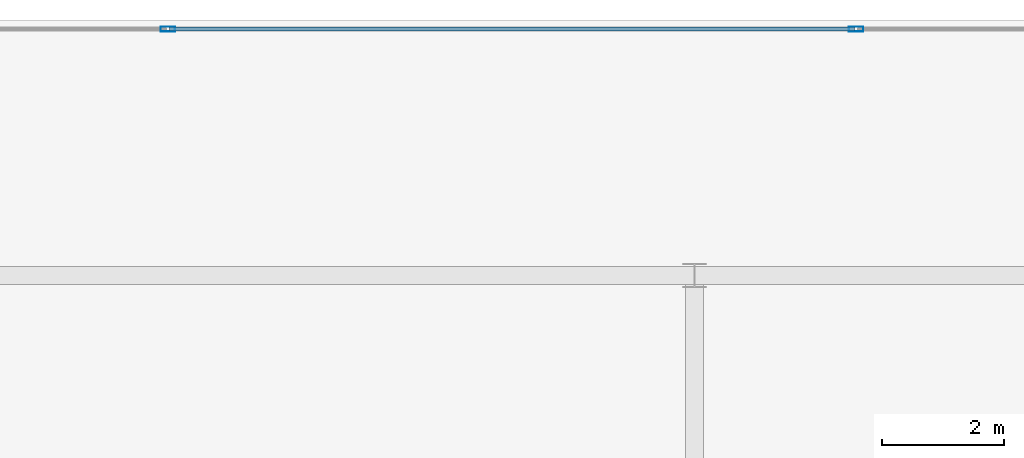
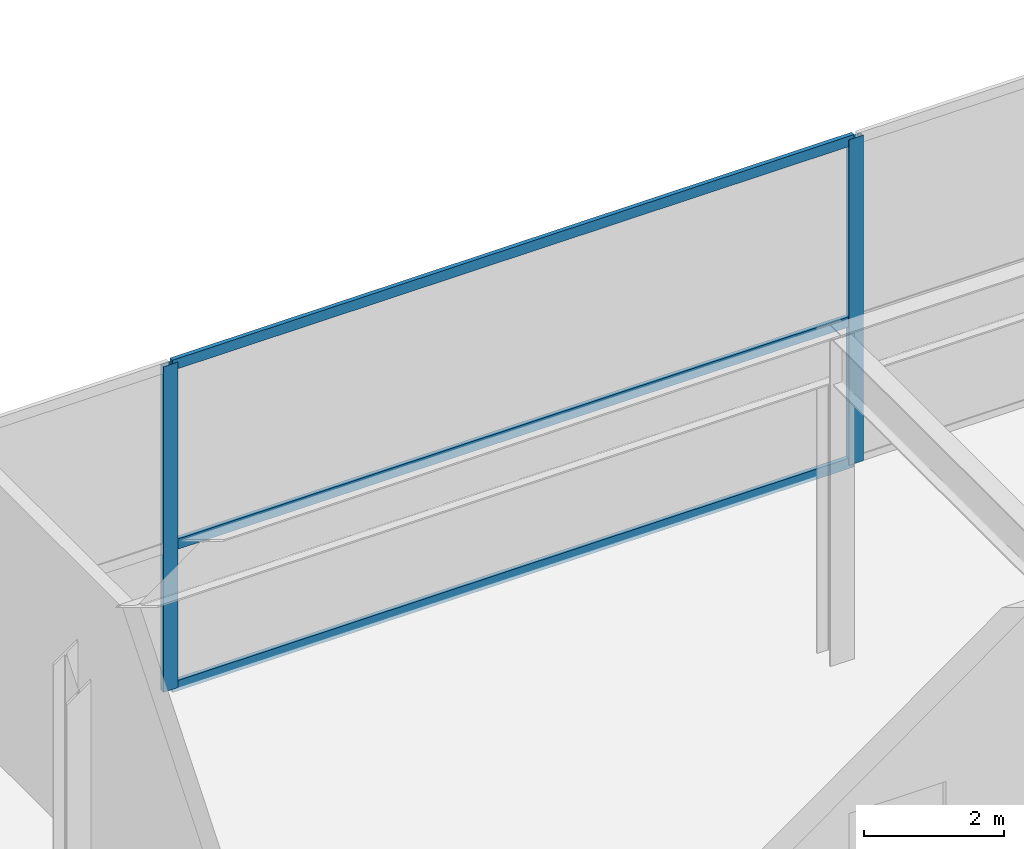
# One storey, part 19 of 35: 5 members, 1 element without a shape of its own.
"""IFC4 building model written with IfcOpenShell, lengths in metres."""

from ifc_helpers import new_model, si_unit, direction, frame, origin, origin_2d, place, context, subcontext, project, spatial, hollow_rectangle, extrude, material, layer, layer_set, material_profile, profile_set, type_object, element, aggregate, save


model = new_model("IFC4")

# Units and contexts
model_context = context("Model", 3, precision=1e-05, world=origin(), true_north=direction((0.0, 1.0)))
body_context = subcontext(model_context, "Body", "Model", "MODEL_VIEW")
ifc_project = project(units=[si_unit("LENGTHUNIT", "METRE"), si_unit("AREAUNIT", "SQUARE_METRE"), si_unit("VOLUMEUNIT", "CUBIC_METRE"), si_unit("PLANEANGLEUNIT", "RADIAN"), si_unit("MASSUNIT", "GRAM", prefix="KILO")], contexts=[model_context])

# Site, building, storey
site_placement = place(None, origin())
site = spatial("IfcSite", under=ifc_project, at=site_placement, CompositionType="ELEMENT")
building_placement = place(site_placement, origin())
building = spatial("IfcBuilding", under=site, at=building_placement, Name="Calvorn Quay Hotel", CompositionType="ELEMENT")
storey_placement = place(building_placement, frame((0.0, 0.0, 6.0)))
storey = spatial("IfcBuildingStorey", under=building, at=storey_placement, Name="L01", CompositionType="ELEMENT", Elevation=6.0)

# Curtain wall, members
ifc_material_1 = material(Name="Pale Anodised Aluminium and Low-E Glass", Category="aluminium")
ifc_layer = layer(ifc_material_1, 0.219970703125)
ifc_layer_set = layer_set([ifc_layer], Name="CW-SYS-POD")
curtain_wall_type = type_object("IfcCurtainWallType", Name="CW-SYS-POD", PredefinedType="NOTDEFINED", material=ifc_layer_set)
curtain_wall_placement = place(storey_placement, origin())
curtain_wall = element("IfcCurtainWall", 1, at=curtain_wall_placement, inside=storey, type_object=curtain_wall_type, Name="Podium Curtain Wall L01-N1", PredefinedType="NOTDEFINED")
ifc_material_2 = material(Name="Pale Anodised Aluminium 6063-T6", Category="aluminium")
ifc_material_profile_1 = material_profile(ifc_material_2, hollow_rectangle(XDim=0.080078125, YDim=0.239990234375, WallThickness=0.0048828125, at=origin_2d()), Name="ALU-M240x80x5")
ifc_profile_set_1 = profile_set([ifc_material_profile_1], Name="Pale Anodised Aluminium 6063-T6")
member_type_1 = type_object("IfcMemberType", Name="CW-SYS-POD-MUL", PredefinedType="MULLION", material=ifc_profile_set_1)
member_1_placement = place(storey_placement, frame((36.3427734375, 57.85009765625, 0.0), z_axis=(0.0, 0.0, 1.0), x_axis=(0.0, 1.0, 0.0)))
member_1 = element("IfcMember", 2, at=member_1_placement, type_object=member_type_1, Name="CW-L01-N1 mullion 4", PredefinedType="MULLION", context=body_context, shape_type="SweptSolid", body=[
    extrude(hollow_rectangle(XDim=0.080078125, YDim=0.239990234375, WallThickness=0.0048828125, at=origin_2d()), origin(), (0.0, 0.0, 1.0), 5.679931640625),
])
member_2_placement = place(storey_placement, frame((47.6572265625, 57.85009765625, 0.0), z_axis=(0.0, 0.0, 1.0), x_axis=(0.0, 1.0, 0.0)))
member_2 = element("IfcMember", 3, at=member_2_placement, type_object=member_type_1, Name="CW-L01-N1 mullion 5", PredefinedType="MULLION", context=body_context, shape_type="SweptSolid", body=[
    extrude(hollow_rectangle(XDim=0.080078125, YDim=0.239990234375, WallThickness=0.0048828125, at=origin_2d()), origin(), (0.0, 0.0, 1.0), 5.679931640625),
])
ifc_material_3 = material(Name="Pale Anodised Aluminium 6063-T6", Category="aluminium")
ifc_material_profile_2 = material_profile(ifc_material_3, hollow_rectangle(XDim=0.070068359375, YDim=0.179931640625, WallThickness=0.00390625, at=origin_2d()), Name="ALU-T180x70x4")
ifc_profile_set_2 = profile_set([ifc_material_profile_2], Name="Pale Anodised Aluminium 6063-T6")
member_type_2 = type_object("IfcMemberType", Name="CW-SYS-POD-TRN", PredefinedType="USERDEFINED", material=ifc_profile_set_2)
member_3_placement = place(storey_placement, frame((36.372802734375, 57.85009765625, 0.030029296875), z_axis=(1.0, 0.0, 0.0), x_axis=(0.0, 1.0, 0.0)))
member_3 = element("IfcMember", 4, at=member_3_placement, type_object=member_type_2, Name="CW-L01-N1 transom 4.1", ObjectType="TRANSOM", PredefinedType="USERDEFINED", context=body_context, shape_type="SweptSolid", body=[
    extrude(hollow_rectangle(XDim=0.070068359375, YDim=0.179931640625, WallThickness=0.00390625, at=origin_2d()), origin(), (0.0, 0.0, 1.0), 11.25439453125),
])
member_4_placement = place(storey_placement, frame((36.372802734375, 57.85009765625, 2.5), z_axis=(1.0, 0.0, 0.0), x_axis=(0.0, 1.0, 0.0)))
member_4 = element("IfcMember", 5, at=member_4_placement, type_object=member_type_2, Name="CW-L01-N1 transom 4.2", ObjectType="TRANSOM", PredefinedType="USERDEFINED", context=body_context, shape_type="SweptSolid", body=[
    extrude(hollow_rectangle(XDim=0.070068359375, YDim=0.179931640625, WallThickness=0.00390625, at=origin_2d()), origin(), (0.0, 0.0, 1.0), 11.25439453125),
])
member_5_placement = place(storey_placement, frame((36.372802734375, 57.85009765625, 5.64990234375), z_axis=(1.0, 0.0, 0.0), x_axis=(0.0, 1.0, 0.0)))
member_5 = element("IfcMember", 6, at=member_5_placement, type_object=member_type_2, Name="CW-L01-N1 transom 4.3", ObjectType="TRANSOM", PredefinedType="USERDEFINED", context=body_context, shape_type="SweptSolid", body=[
    extrude(hollow_rectangle(XDim=0.070068359375, YDim=0.179931640625, WallThickness=0.00390625, at=origin_2d()), origin(), (0.0, 0.0, 1.0), 11.25439453125),
])
aggregate(curtain_wall, [member_1, member_2, member_3, member_4, member_5])

save(model, "model.ifc")
